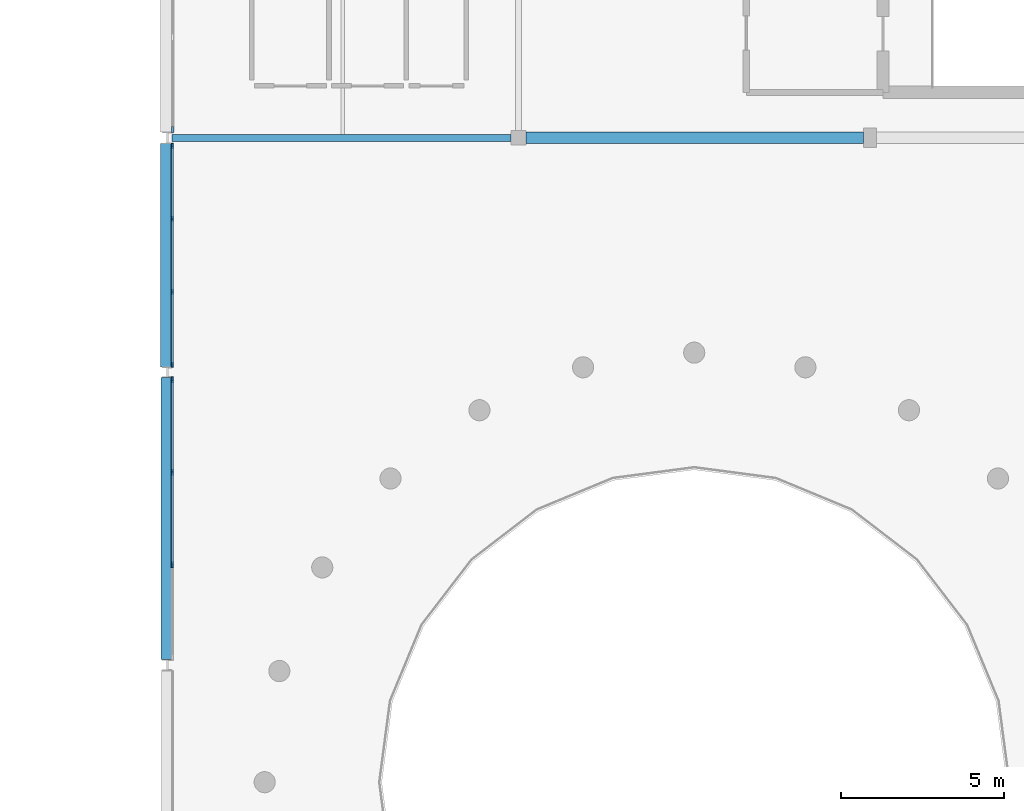
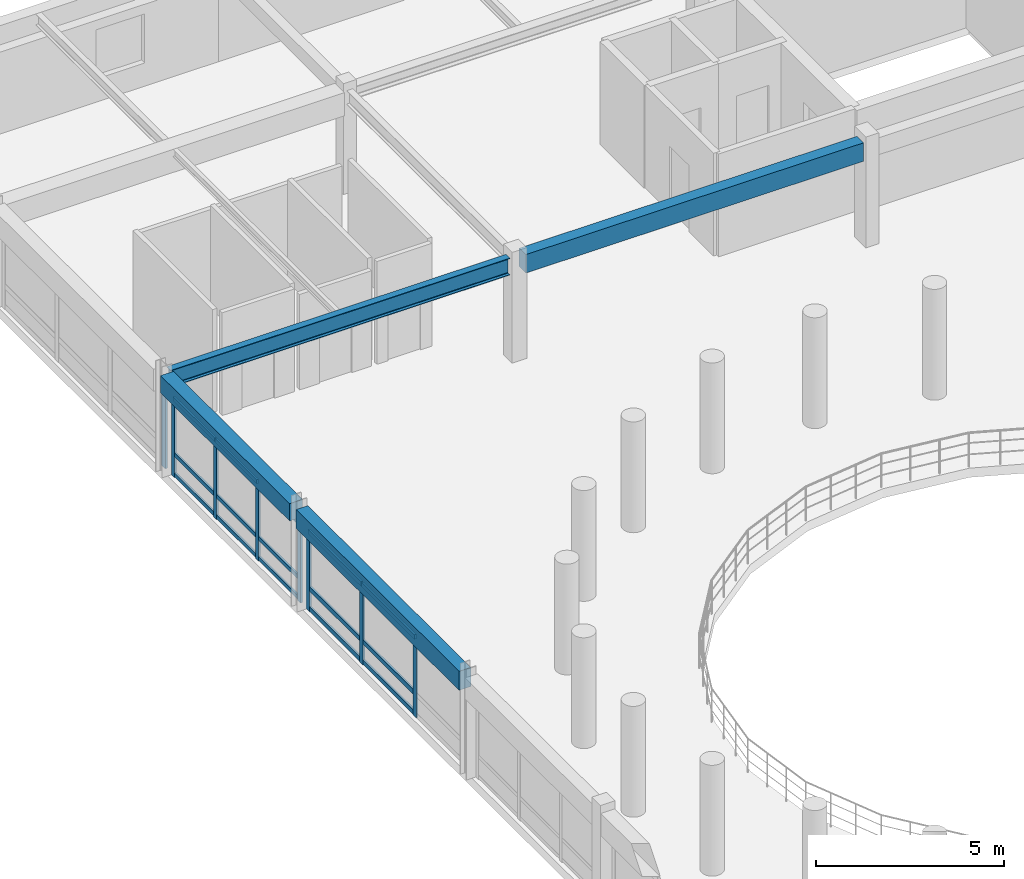
# One storey, part 18 of 52: 23 members, 4 beams, 3 elements without a shape of their own.
"""IFC4 building model written with IfcOpenShell, lengths in metres."""

from ifc_helpers import new_model, si_unit, direction, frame, origin, origin_2d, place, context, subcontext, project, spatial, rectangle, i_section, extrude, material, material_profile, profile_set, type_object, element, aggregate, save


model = new_model("IFC4")

# Units and contexts
model_context = context("Model", 3, precision=1e-05, world=origin(), true_north=direction((0.0, 1.0)))
body_context = subcontext(model_context, "Body", "Model", "MODEL_VIEW")
ifc_project = project(units=[si_unit("LENGTHUNIT", "METRE"), si_unit("AREAUNIT", "SQUARE_METRE"), si_unit("VOLUMEUNIT", "CUBIC_METRE"), si_unit("PLANEANGLEUNIT", "RADIAN"), si_unit("MASSUNIT", "GRAM", prefix="KILO")], contexts=[model_context])

# Site, building, storey
site_placement = place(None, origin())
site = spatial("IfcSite", under=ifc_project, at=site_placement, CompositionType="ELEMENT")
building_placement = place(site_placement, origin())
building = spatial("IfcBuilding", under=site, at=building_placement, Name="Clarverna Civic Hall", CompositionType="ELEMENT")
storey_placement = place(building_placement, frame((0.0, 0.0, 16.800048828125)))
storey = spatial("IfcBuildingStorey", under=building, at=storey_placement, Name="L04", CompositionType="ELEMENT", Elevation=16.800048828125)

# Beams
ifc_material_1 = material(Name="Concrete C35/45", Category="concrete")
ifc_material_profile_1 = material_profile(ifc_material_1, rectangle(XDim=0.35009765625, YDim=0.60009765625, at=origin_2d()), Name="RC 350x600")
ifc_profile_set_1 = profile_set([ifc_material_profile_1], Name="Concrete C35/45")
beam_type_1 = type_object("IfcBeamType", Name="B-RC8", PredefinedType="BEAM", material=ifc_profile_set_1)
beam_1_placement = place(storey_placement, frame((77.625, 78.800048828125, 3.0400390625), z_axis=(1.0, 0.0, 0.0), x_axis=(0.0, 1.0, 0.0)))
element("IfcBeam", 1, at=beam_1_placement, inside=storey, type_object=beam_type_1, Name="B-RC8-028", PredefinedType="BEAM", context=body_context, shape_type="SweptSolid", body=[
    extrude(rectangle(XDim=0.35009765625, YDim=0.60009765625, at=origin_2d()), origin(), (0.0, 0.0, 1.0), 10.375),
])
ifc_material_profile_2 = material_profile(ifc_material_1, rectangle(XDim=0.360107421875, YDim=0.6201171875, at=origin_2d()), Name="RC 360x620")
ifc_profile_set_2 = profile_set([ifc_material_profile_2], Name="Concrete C35/45")
beam_type_2 = type_object("IfcBeamType", Name="B-SP3", PredefinedType="SPANDREL", material=ifc_profile_set_2)
beam_2_placement = place(storey_placement, frame((66.60009765625, 62.77001953125, 3.030029296875), z_axis=(0.0, 1.0, 0.0), x_axis=(-1.0, 0.0, 0.0)))
element("IfcBeam", 2, at=beam_2_placement, inside=storey, type_object=beam_type_2, Name="B-SP3-143", PredefinedType="SPANDREL", context=body_context, shape_type="SweptSolid", body=[
    extrude(rectangle(XDim=0.360107421875, YDim=0.6201171875, at=origin_2d()), origin(), (0.0, 0.0, 1.0), 8.669921875),
])
ifc_material_profile_3 = material_profile(ifc_material_1, rectangle(XDim=0.39990234375, YDim=0.56005859375, at=origin_2d()), Name="RC 400x560")
ifc_profile_set_3 = profile_set([ifc_material_profile_3], Name="Concrete C35/45")
beam_type_3 = type_object("IfcBeamType", Name="B-SP4", PredefinedType="SPANDREL", material=ifc_profile_set_3)
beam_3_placement = place(storey_placement, frame((66.60009765625, 71.760009765625, 3.06005859375), z_axis=(0.0, 1.0, 0.0), x_axis=(-1.0, 0.0, 0.0)))
element("IfcBeam", 3, at=beam_3_placement, inside=storey, type_object=beam_type_3, Name="B-SP4-142", PredefinedType="SPANDREL", context=body_context, shape_type="SweptSolid", body=[
    extrude(rectangle(XDim=0.39990234375, YDim=0.56005859375, at=origin_2d()), origin(), (0.0, 0.0, 1.0), 6.864990234375),
])
ifc_material_2 = material(Name="Steel S355", Category="steel")
ifc_material_profile_4 = material_profile(ifc_material_2, i_section(OverallWidth=0.2099609375, OverallDepth=0.550048828125, WebThickness=0.010986328125, FlangeThickness=0.01708984375, FilletRadius=0.02392578125, at=origin_2d()), Name="IPE 550")
ifc_profile_set_4 = profile_set([ifc_material_profile_4], Name="Steel S355")
beam_type_4 = type_object("IfcBeamType", Name="B-ST11", PredefinedType="BEAM", material=ifc_profile_set_4)
beam_4_placement = place(storey_placement, frame((66.75, 78.800048828125, 3.06494140625), z_axis=(1.0, 0.0, 0.0), x_axis=(0.0, 1.0, 0.0)))
element("IfcBeam", 4, at=beam_4_placement, inside=storey, type_object=beam_type_4, Name="B-ST11-019", PredefinedType="BEAM", context=body_context, shape_type="SweptSolid", body=[
    extrude(i_section(OverallWidth=0.2099609375, OverallDepth=0.550048828125, WebThickness=0.010986328125, FlangeThickness=0.01708984375, FilletRadius=0.02392578125, at=origin_2d()), origin(), (0.0, 0.0, 1.0), 10.425048828125),
])

# Curtain wall, members
ifc_material_3 = material(Name="Anodised Bronze Architectural Aluminium", Category="aluminium")
curtain_wall_type = type_object("IfcCurtainWallType", Name="CW-06", PredefinedType="USERDEFINED", material=ifc_material_3)
curtain_wall_1_placement = place(storey_placement, origin())
curtain_wall_1 = element("IfcCurtainWall", 5, at=curtain_wall_1_placement, inside=storey, type_object=curtain_wall_type, Name="CW-06-003", ObjectType="UNITISED CURTAIN WALL", PredefinedType="USERDEFINED")
ifc_material_profile_5 = material_profile(ifc_material_3, rectangle(XDim=0.06005859375, YDim=0.179931640625, at=origin_2d()), Name="BRONZE 60x180")
ifc_profile_set_5 = profile_set([ifc_material_profile_5], Name="Anodised Bronze Architectural Aluminium")
member_type_1 = type_object("IfcMemberType", Name="CWM-01", PredefinedType="MULLION", material=ifc_profile_set_5)
member_1_placement = place(storey_placement, frame((66.764892578125, 65.684326171875, 0.0), z_axis=(0.0, 0.0, 1.0), x_axis=(1.0, 0.0, 0.0)))
member_1 = element("IfcMember", 6, at=member_1_placement, type_object=member_type_1, Name="CWM-01-179", PredefinedType="MULLION", context=body_context, shape_type="SweptSolid", body=[
    extrude(rectangle(XDim=0.06005859375, YDim=0.179931640625, at=origin_2d()), origin(), (0.0, 0.0, 1.0), 2.659912109375),
])
member_2_placement = place(storey_placement, frame((66.764892578125, 68.525634765625, 0.0), z_axis=(0.0, 0.0, 1.0), x_axis=(1.0, 0.0, 0.0)))
member_2 = element("IfcMember", 7, at=member_2_placement, type_object=member_type_1, Name="CWM-01-180", PredefinedType="MULLION", context=body_context, shape_type="SweptSolid", body=[
    extrude(rectangle(XDim=0.06005859375, YDim=0.179931640625, at=origin_2d()), origin(), (0.0, 0.0, 1.0), 2.659912109375),
])
member_3_placement = place(storey_placement, frame((66.764892578125, 71.366943359375, 0.0), z_axis=(0.0, 0.0, 1.0), x_axis=(1.0, 0.0, 0.0)))
member_3 = element("IfcMember", 8, at=member_3_placement, type_object=member_type_1, Name="CWM-01-181", PredefinedType="MULLION", context=body_context, shape_type="SweptSolid", body=[
    extrude(rectangle(XDim=0.06005859375, YDim=0.179931640625, at=origin_2d()), origin(), (0.0, 0.0, 1.0), 2.659912109375),
])

curtain_wall_2_placement = place(storey_placement, origin())
curtain_wall_2 = element("IfcCurtainWall", 9, at=curtain_wall_2_placement, inside=storey, type_object=curtain_wall_type, Name="CW-06-004", ObjectType="UNITISED CURTAIN WALL", PredefinedType="USERDEFINED")
ifc_material_profile_6 = material_profile(ifc_material_3, rectangle(XDim=0.06005859375, YDim=0.159912109375, at=origin_2d()), Name="BRONZE 60x160")
ifc_profile_set_6 = profile_set([ifc_material_profile_6], Name="Anodised Bronze Architectural Aluminium")
member_type_2 = type_object("IfcMemberType", Name="CWM-02", PredefinedType="MULLION", material=ifc_profile_set_6)
member_4_placement = place(storey_placement, frame((66.764892578125, 71.8330078125, 0.0), z_axis=(0.0, 0.0, 1.0), x_axis=(1.0, 0.0, 0.0)))
member_4 = element("IfcMember", 10, at=member_4_placement, type_object=member_type_2, Name="CWM-02-207", PredefinedType="MULLION", context=body_context, shape_type="SweptSolid", body=[
    extrude(rectangle(XDim=0.06005859375, YDim=0.159912109375, at=origin_2d()), origin(), (0.0, 0.0, 1.0), 2.619873046875),
])
member_5_placement = place(storey_placement, frame((66.764892578125, 74.07275390625, 0.0), z_axis=(0.0, 0.0, 1.0), x_axis=(1.0, 0.0, 0.0)))
member_5 = element("IfcMember", 11, at=member_5_placement, type_object=member_type_2, Name="CWM-02-208", PredefinedType="MULLION", context=body_context, shape_type="SweptSolid", body=[
    extrude(rectangle(XDim=0.06005859375, YDim=0.159912109375, at=origin_2d()), origin(), (0.0, 0.0, 1.0), 2.619873046875),
])
member_6_placement = place(storey_placement, frame((66.764892578125, 76.312255859375, 0.0), z_axis=(0.0, 0.0, 1.0), x_axis=(1.0, 0.0, 0.0)))
member_6 = element("IfcMember", 12, at=member_6_placement, type_object=member_type_2, Name="CWM-02-209", PredefinedType="MULLION", context=body_context, shape_type="SweptSolid", body=[
    extrude(rectangle(XDim=0.06005859375, YDim=0.159912109375, at=origin_2d()), origin(), (0.0, 0.0, 1.0), 2.619873046875),
])
member_7_placement = place(storey_placement, frame((66.764892578125, 78.552001953125, 0.0), z_axis=(0.0, 0.0, 1.0), x_axis=(1.0, 0.0, 0.0)))
member_7 = element("IfcMember", 13, at=member_7_placement, type_object=member_type_2, Name="CWM-02-210", PredefinedType="MULLION", context=body_context, shape_type="SweptSolid", body=[
    extrude(rectangle(XDim=0.06005859375, YDim=0.159912109375, at=origin_2d()), origin(), (0.0, 0.0, 1.0), 2.619873046875),
])

# Curtain wall, member
curtain_wall_3_placement = place(storey_placement, origin())
curtain_wall_3 = element("IfcCurtainWall", 14, at=curtain_wall_3_placement, inside=storey, type_object=curtain_wall_type, Name="CW-06-005", ObjectType="UNITISED CURTAIN WALL", PredefinedType="USERDEFINED")
ifc_material_profile_7 = material_profile(ifc_material_3, rectangle(XDim=0.06494140625, YDim=0.199951171875, at=origin_2d()), Name="BRONZE 65x200")
ifc_profile_set_7 = profile_set([ifc_material_profile_7], Name="Anodised Bronze Architectural Aluminium")
member_type_3 = type_object("IfcMemberType", Name="CWM-03", PredefinedType="MULLION", material=ifc_profile_set_7)
member_8_placement = place(storey_placement, frame((66.764892578125, 79.048095703125, 0.0), z_axis=(0.0, 0.0, 1.0), x_axis=(1.0, 0.0, 0.0)))
member_8 = element("IfcMember", 15, at=member_8_placement, type_object=member_type_3, Name="CWM-03-184", PredefinedType="MULLION", context=body_context, shape_type="SweptSolid", body=[
    extrude(rectangle(XDim=0.06494140625, YDim=0.199951171875, at=origin_2d()), origin(), (0.0, 0.0, 1.0), 2.58984375),
])
aggregate(curtain_wall_3, [member_8])

# Member
ifc_material_profile_8 = material_profile(ifc_material_3, rectangle(XDim=0.06005859375, YDim=0.14990234375, at=origin_2d()), Name="BRONZE 60x150")
ifc_profile_set_8 = profile_set([ifc_material_profile_8], Name="Anodised Bronze Architectural Aluminium")
member_type_4 = type_object("IfcMemberType", Name="CWT-01", PredefinedType="USERDEFINED", material=ifc_profile_set_8)
member_9_placement = place(storey_placement, frame((66.764892578125, 65.69921875, 0.094970703125), z_axis=(0.0, 1.0, 0.0), x_axis=(-1.0, 0.0, 0.0)))
member_9 = element("IfcMember", 16, at=member_9_placement, type_object=member_type_4, Name="CWT-01-382", ObjectType="TRANSOM", PredefinedType="USERDEFINED", context=body_context, shape_type="SweptSolid", body=[
    extrude(rectangle(XDim=0.06005859375, YDim=0.14990234375, at=origin_2d()), origin(), (0.0, 0.0, 1.0), 2.8115234375),
])

member_10_placement = place(storey_placement, frame((66.764892578125, 65.69921875, 0.75), z_axis=(0.0, 1.0, 0.0), x_axis=(-1.0, 0.0, 0.0)))
member_10 = element("IfcMember", 17, at=member_10_placement, type_object=member_type_4, Name="CWT-01-383", ObjectType="TRANSOM", PredefinedType="USERDEFINED", context=body_context, shape_type="SweptSolid", body=[
    extrude(rectangle(XDim=0.06005859375, YDim=0.14990234375, at=origin_2d()), origin(), (0.0, 0.0, 1.0), 2.8115234375),
])

member_11_placement = place(storey_placement, frame((66.764892578125, 65.69921875, 2.56494140625), z_axis=(0.0, 1.0, 0.0), x_axis=(-1.0, 0.0, 0.0)))
member_11 = element("IfcMember", 18, at=member_11_placement, type_object=member_type_4, Name="CWT-01-384", ObjectType="TRANSOM", PredefinedType="USERDEFINED", context=body_context, shape_type="SweptSolid", body=[
    extrude(rectangle(XDim=0.06005859375, YDim=0.14990234375, at=origin_2d()), origin(), (0.0, 0.0, 1.0), 2.8115234375),
])

member_12_placement = place(storey_placement, frame((66.764892578125, 68.540771484375, 0.094970703125), z_axis=(0.0, 1.0, 0.0), x_axis=(-1.0, 0.0, 0.0)))
member_12 = element("IfcMember", 19, at=member_12_placement, type_object=member_type_4, Name="CWT-01-385", ObjectType="TRANSOM", PredefinedType="USERDEFINED", context=body_context, shape_type="SweptSolid", body=[
    extrude(rectangle(XDim=0.06005859375, YDim=0.14990234375, at=origin_2d()), origin(), (0.0, 0.0, 1.0), 2.811279296875),
])

member_13_placement = place(storey_placement, frame((66.764892578125, 68.540771484375, 0.75), z_axis=(0.0, 1.0, 0.0), x_axis=(-1.0, 0.0, 0.0)))
member_13 = element("IfcMember", 20, at=member_13_placement, type_object=member_type_4, Name="CWT-01-386", ObjectType="TRANSOM", PredefinedType="USERDEFINED", context=body_context, shape_type="SweptSolid", body=[
    extrude(rectangle(XDim=0.06005859375, YDim=0.14990234375, at=origin_2d()), origin(), (0.0, 0.0, 1.0), 2.811279296875),
])

member_14_placement = place(storey_placement, frame((66.764892578125, 68.540771484375, 2.56494140625), z_axis=(0.0, 1.0, 0.0), x_axis=(-1.0, 0.0, 0.0)))
member_14 = element("IfcMember", 21, at=member_14_placement, type_object=member_type_4, Name="CWT-01-387", ObjectType="TRANSOM", PredefinedType="USERDEFINED", context=body_context, shape_type="SweptSolid", body=[
    extrude(rectangle(XDim=0.06005859375, YDim=0.14990234375, at=origin_2d()), origin(), (0.0, 0.0, 1.0), 2.811279296875),
])

aggregate(curtain_wall_1, [member_1, member_2, member_3, member_9, member_10, member_11, member_12, member_13, member_14])

ifc_material_profile_9 = material_profile(ifc_material_3, rectangle(XDim=0.06005859375, YDim=0.1298828125, at=origin_2d()), Name="BRONZE 60x130")
ifc_profile_set_9 = profile_set([ifc_material_profile_9], Name="Anodised Bronze Architectural Aluminium")
member_type_5 = type_object("IfcMemberType", Name="CWT-02", PredefinedType="USERDEFINED", material=ifc_profile_set_9)
member_15_placement = place(storey_placement, frame((66.764892578125, 71.847900390625, 0.094970703125), z_axis=(0.0, 1.0, 0.0), x_axis=(-1.0, 0.0, 0.0)))
member_15 = element("IfcMember", 22, at=member_15_placement, type_object=member_type_5, Name="CWT-02-439", ObjectType="TRANSOM", PredefinedType="USERDEFINED", context=body_context, shape_type="SweptSolid", body=[
    extrude(rectangle(XDim=0.06005859375, YDim=0.1298828125, at=origin_2d()), origin(), (0.0, 0.0, 1.0), 2.209716796875),
])

member_16_placement = place(storey_placement, frame((66.764892578125, 71.847900390625, 0.75), z_axis=(0.0, 1.0, 0.0), x_axis=(-1.0, 0.0, 0.0)))
member_16 = element("IfcMember", 23, at=member_16_placement, type_object=member_type_5, Name="CWT-02-440", ObjectType="TRANSOM", PredefinedType="USERDEFINED", context=body_context, shape_type="SweptSolid", body=[
    extrude(rectangle(XDim=0.06005859375, YDim=0.1298828125, at=origin_2d()), origin(), (0.0, 0.0, 1.0), 2.209716796875),
])

member_17_placement = place(storey_placement, frame((66.764892578125, 71.847900390625, 2.52490234375), z_axis=(0.0, 1.0, 0.0), x_axis=(-1.0, 0.0, 0.0)))
member_17 = element("IfcMember", 24, at=member_17_placement, type_object=member_type_5, Name="CWT-02-441", ObjectType="TRANSOM", PredefinedType="USERDEFINED", context=body_context, shape_type="SweptSolid", body=[
    extrude(rectangle(XDim=0.06005859375, YDim=0.1298828125, at=origin_2d()), origin(), (0.0, 0.0, 1.0), 2.209716796875),
])

member_18_placement = place(storey_placement, frame((66.764892578125, 74.087646484375, 0.094970703125), z_axis=(0.0, 1.0, 0.0), x_axis=(-1.0, 0.0, 0.0)))
member_18 = element("IfcMember", 25, at=member_18_placement, type_object=member_type_5, Name="CWT-02-442", ObjectType="TRANSOM", PredefinedType="USERDEFINED", context=body_context, shape_type="SweptSolid", body=[
    extrude(rectangle(XDim=0.06005859375, YDim=0.1298828125, at=origin_2d()), origin(), (0.0, 0.0, 1.0), 2.209716796875),
])

member_19_placement = place(storey_placement, frame((66.764892578125, 74.087646484375, 0.75), z_axis=(0.0, 1.0, 0.0), x_axis=(-1.0, 0.0, 0.0)))
member_19 = element("IfcMember", 26, at=member_19_placement, type_object=member_type_5, Name="CWT-02-443", ObjectType="TRANSOM", PredefinedType="USERDEFINED", context=body_context, shape_type="SweptSolid", body=[
    extrude(rectangle(XDim=0.06005859375, YDim=0.1298828125, at=origin_2d()), origin(), (0.0, 0.0, 1.0), 2.209716796875),
])

member_20_placement = place(storey_placement, frame((66.764892578125, 74.087646484375, 2.52490234375), z_axis=(0.0, 1.0, 0.0), x_axis=(-1.0, 0.0, 0.0)))
member_20 = element("IfcMember", 27, at=member_20_placement, type_object=member_type_5, Name="CWT-02-444", ObjectType="TRANSOM", PredefinedType="USERDEFINED", context=body_context, shape_type="SweptSolid", body=[
    extrude(rectangle(XDim=0.06005859375, YDim=0.1298828125, at=origin_2d()), origin(), (0.0, 0.0, 1.0), 2.209716796875),
])

member_21_placement = place(storey_placement, frame((66.764892578125, 76.327392578125, 0.094970703125), z_axis=(0.0, 1.0, 0.0), x_axis=(-1.0, 0.0, 0.0)))
member_21 = element("IfcMember", 28, at=member_21_placement, type_object=member_type_5, Name="CWT-02-445", ObjectType="TRANSOM", PredefinedType="USERDEFINED", context=body_context, shape_type="SweptSolid", body=[
    extrude(rectangle(XDim=0.06005859375, YDim=0.1298828125, at=origin_2d()), origin(), (0.0, 0.0, 1.0), 2.209716796875),
])

member_22_placement = place(storey_placement, frame((66.764892578125, 76.327392578125, 0.75), z_axis=(0.0, 1.0, 0.0), x_axis=(-1.0, 0.0, 0.0)))
member_22 = element("IfcMember", 29, at=member_22_placement, type_object=member_type_5, Name="CWT-02-446", ObjectType="TRANSOM", PredefinedType="USERDEFINED", context=body_context, shape_type="SweptSolid", body=[
    extrude(rectangle(XDim=0.06005859375, YDim=0.1298828125, at=origin_2d()), origin(), (0.0, 0.0, 1.0), 2.209716796875),
])

member_23_placement = place(storey_placement, frame((66.764892578125, 76.327392578125, 2.52490234375), z_axis=(0.0, 1.0, 0.0), x_axis=(-1.0, 0.0, 0.0)))
member_23 = element("IfcMember", 30, at=member_23_placement, type_object=member_type_5, Name="CWT-02-447", ObjectType="TRANSOM", PredefinedType="USERDEFINED", context=body_context, shape_type="SweptSolid", body=[
    extrude(rectangle(XDim=0.06005859375, YDim=0.1298828125, at=origin_2d()), origin(), (0.0, 0.0, 1.0), 2.209716796875),
])

aggregate(curtain_wall_2, [member_4, member_5, member_6, member_7, member_15, member_16, member_17, member_18, member_19, member_20, member_21, member_22, member_23])

save(model, "model.ifc")
